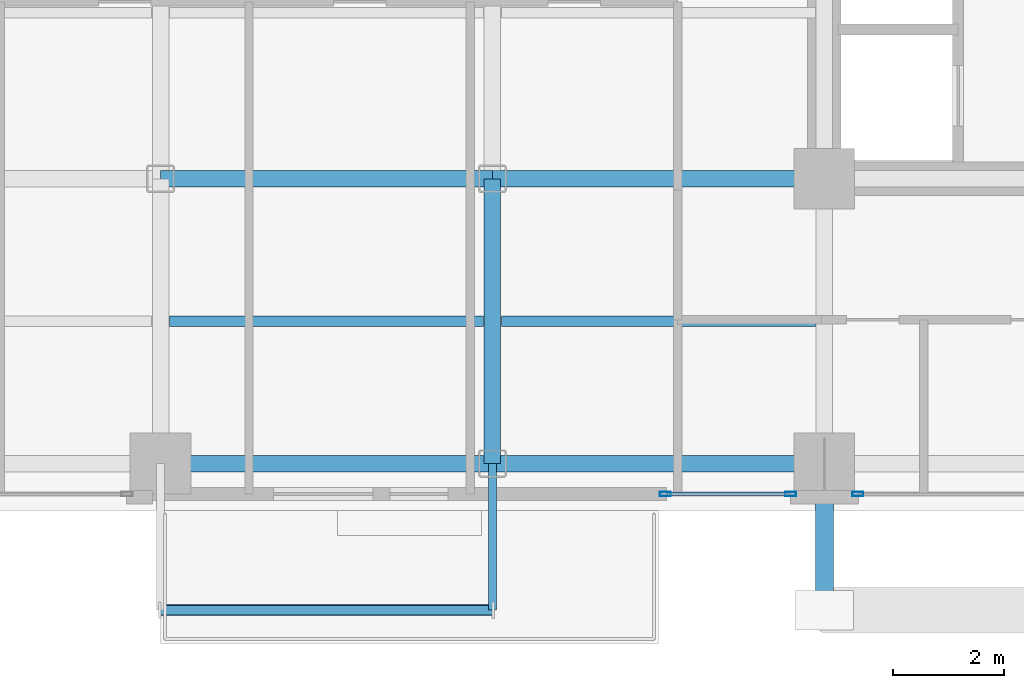
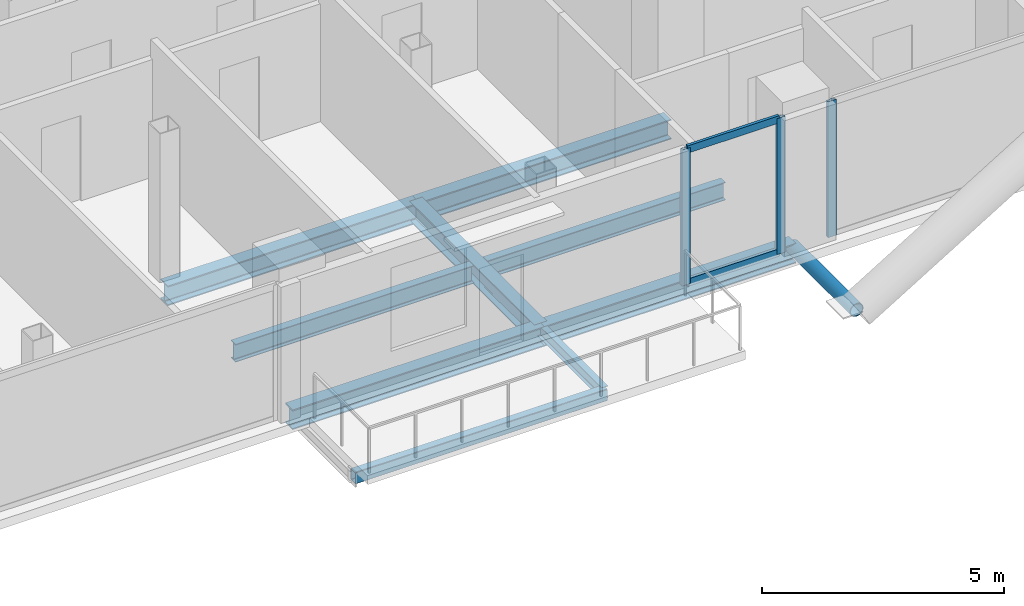
# One storey, part 3 of 24: 9 beams, 6 members, 2 elements without a shape of their own.
"""IFC4 building model written with IfcOpenShell, lengths in metres."""

from ifc_helpers import new_model, si_unit, direction, frame, origin, origin_2d, place, context, subcontext, project, spatial, hollow_rectangle, hollow_circle, i_section, extrude, material, layer, layer_set, material_profile, profile_set, type_object, element, aggregate, save


model = new_model("IFC4")

# Units and contexts
model_context = context("Model", 3, precision=1e-05, world=origin(), true_north=direction((0.0, 1.0)))
body_context = subcontext(model_context, "Body", "Model", "MODEL_VIEW")
ifc_project = project(units=[si_unit("LENGTHUNIT", "METRE"), si_unit("AREAUNIT", "SQUARE_METRE"), si_unit("VOLUMEUNIT", "CUBIC_METRE"), si_unit("PLANEANGLEUNIT", "RADIAN"), si_unit("MASSUNIT", "GRAM", prefix="KILO"), si_unit("THERMODYNAMICTEMPERATUREUNIT", "KELVIN"), si_unit("POWERUNIT", "WATT")], contexts=[model_context])

# Site, building, storey
site_placement = place(None, origin())
site = spatial("IfcSite", under=ifc_project, at=site_placement, CompositionType="ELEMENT")
building_placement = place(site_placement, origin())
building = spatial("IfcBuilding", under=site, at=building_placement, Name="Svarakhadi Broadcast Tower", CompositionType="ELEMENT")
storey_placement = place(building_placement, frame((0.0, 0.0, 160.64990234375)))
storey = spatial("IfcBuildingStorey", under=building, at=storey_placement, Name="L39", CompositionType="ELEMENT", Elevation=160.64990234375)

# Beams
ifc_material_1 = material(Name="Steel S355J2 (IS 2062 E350C)", Category="steel")
ifc_material_profile_1 = material_profile(ifc_material_1, i_section(OverallWidth=0.18994140625, OverallDepth=0.449951171875, WebThickness=0.009521484375, FlangeThickness=0.0146484375, FilletRadius=0.02099609375, at=origin_2d()), Name="NPB 450x190x78")
ifc_profile_set_1 = profile_set([ifc_material_profile_1], Name="Steel S355J2 (IS 2062 E350C)")
beam_type_1 = type_object("IfcBeamType", Name="Beam_NPB450", PredefinedType="BEAM", material=ifc_profile_set_1)
for number, where, z_axis, x_axis, name in (
    (1, (12.159912109375, 3.425048828125, -0.449951171875), (1.0, 0.0, 0.0), (0.0, 1.0, 0.0), "L39 Secondary Composite Beam SB011"),
    (2, (18.159912109375, 3.425048828125, -0.449951171875), (1.0, 0.0, 0.0), (0.0, 1.0, 0.0), "L39 Secondary Composite Beam SB016"),
):
    element("IfcBeam", number, at=place(storey_placement, frame(where, z_axis=z_axis, x_axis=x_axis)), inside=storey, type_object=beam_type_1, Name=name, PredefinedType="BEAM", context=body_context, shape_type="SweptSolid", body=[
        extrude(i_section(OverallWidth=0.18994140625, OverallDepth=0.449951171875, WebThickness=0.009521484375, FlangeThickness=0.0146484375, FilletRadius=0.02099609375, at=origin_2d()), origin(), (0.0, 0.0, 1.0), 5.68017578125),
    ])

# Curtain wall, member
ifc_material_2 = material(Name="Anodised Bronze Aluminium AA 6063-T6", Category="aluminium")
ifc_layer = layer(ifc_material_2, 0.199951171875)
ifc_layer_set = layer_set([ifc_layer], Name="Anodised Bronze Aluminium AA 6063-T6")
curtain_wall_type = type_object("IfcCurtainWallType", Name="CW_Sys_03", PredefinedType="NOTDEFINED", material=ifc_layer_set)
curtain_wall_1_placement = place(storey_placement, origin())
curtain_wall_1 = element("IfcCurtainWall", 3, at=curtain_wall_1_placement, inside=storey, type_object=curtain_wall_type, Name="L39 South Curtain Wall 16 Bay 3", PredefinedType="NOTDEFINED")
ifc_material_profile_2 = material_profile(ifc_material_2, hollow_rectangle(XDim=0.074951171875, YDim=0.199951171875, WallThickness=0.005615234375, at=origin_2d()), Name="ALU MULLION 200x75x6")
ifc_profile_set_2 = profile_set([ifc_material_profile_2], Name="Anodised Bronze Aluminium AA 6063-T6")
member_type_1 = type_object("IfcMemberType", Name="CW_Sys_03_Mul", PredefinedType="MULLION", material=ifc_profile_set_2)
member_1_placement = place(storey_placement, frame((24.607421875, 0.300048828125, 0.0), z_axis=(0.0, 0.0, 1.0), x_axis=(0.0, -1.0, 0.0)))
member_1 = element("IfcMember", 4, at=member_1_placement, type_object=member_type_1, Name="CW-03 mullion 2", PredefinedType="MULLION", context=body_context, shape_type="SweptSolid", body=[
    extrude(hollow_rectangle(XDim=0.074951171875, YDim=0.199951171875, WallThickness=0.005615234375, at=origin_2d()), origin(), (0.0, 0.0, 1.0), 3.425048828125),
])
aggregate(curtain_wall_1, [member_1])

# Curtain wall, members
curtain_wall_2_placement = place(storey_placement, origin())
curtain_wall_2 = element("IfcCurtainWall", 5, at=curtain_wall_2_placement, inside=storey, type_object=curtain_wall_type, Name="L39 South Curtain Wall 16 Bay 4", PredefinedType="NOTDEFINED")
member_2_placement = place(storey_placement, frame((23.392578125, 0.300048828125, 0.0), z_axis=(0.0, 0.0, 1.0), x_axis=(0.0, -1.0, 0.0)))
member_2 = element("IfcMember", 6, at=member_2_placement, type_object=member_type_1, Name="CW-03 mullion 1", PredefinedType="MULLION", context=body_context, shape_type="SweptSolid", body=[
    extrude(hollow_rectangle(XDim=0.074951171875, YDim=0.199951171875, WallThickness=0.005615234375, at=origin_2d()), origin(), (0.0, 0.0, 1.0), 3.425048828125),
])
member_3_placement = place(storey_placement, frame((21.12744140625, 0.300048828125, 0.0), z_axis=(0.0, 0.0, 1.0), x_axis=(0.0, -1.0, 0.0)))
member_3 = element("IfcMember", 7, at=member_3_placement, type_object=member_type_1, Name="CW-03 mullion 2", PredefinedType="MULLION", context=body_context, shape_type="SweptSolid", body=[
    extrude(hollow_rectangle(XDim=0.074951171875, YDim=0.199951171875, WallThickness=0.005615234375, at=origin_2d()), origin(), (0.0, 0.0, 1.0), 3.425048828125),
])
ifc_material_profile_3 = material_profile(ifc_material_2, hollow_rectangle(XDim=0.070068359375, YDim=0.18505859375, WallThickness=0.0048828125, at=origin_2d()), Name="ALU TRANSOM 185x70x5")
ifc_profile_set_3 = profile_set([ifc_material_profile_3], Name="Anodised Bronze Aluminium AA 6063-T6")
member_type_2 = type_object("IfcMemberType", Name="CW_Sys_03_Trn", PredefinedType="USERDEFINED", material=ifc_profile_set_3)
member_4_placement = place(storey_placement, frame((23.35498046875, 0.300048828125, 0.03515625), z_axis=(-1.0, 0.0, 0.0), x_axis=(0.0, -1.0, 0.0)))
member_4 = element("IfcMember", 8, at=member_4_placement, type_object=member_type_2, Name="CW-03 transom 1.1", ObjectType="TRANSOM", PredefinedType="USERDEFINED", context=body_context, shape_type="SweptSolid", body=[
    extrude(hollow_rectangle(XDim=0.070068359375, YDim=0.18505859375, WallThickness=0.0048828125, at=origin_2d()), origin(), (0.0, 0.0, 1.0), 2.18994140625),
])
member_5_placement = place(storey_placement, frame((23.35498046875, 0.300048828125, 3.39013671875), z_axis=(-1.0, 0.0, 0.0), x_axis=(0.0, -1.0, 0.0)))
member_5 = element("IfcMember", 9, at=member_5_placement, type_object=member_type_2, Name="CW-03 transom 1.2", ObjectType="TRANSOM", PredefinedType="USERDEFINED", context=body_context, shape_type="SweptSolid", body=[
    extrude(hollow_rectangle(XDim=0.070068359375, YDim=0.18505859375, WallThickness=0.0048828125, at=origin_2d()), origin(), (0.0, 0.0, 1.0), 2.18994140625),
])
aggregate(curtain_wall_2, [member_2, member_3, member_4, member_5])

# Member
ifc_material_3 = material(Name="Steel S460ML (IS 2062 E450BR)", Category="steel")
ifc_material_profile_4 = material_profile(ifc_material_3, hollow_circle(Radius=0.161865234375, WallThickness=0.01611328125, at=origin_2d()), Name="CHS 323.9x16")
ifc_profile_set_4 = profile_set([ifc_material_profile_4], Name="Steel S460ML (IS 2062 E450BR)")
member_type_3 = type_object("IfcMemberType", Name="Exo_Radial_Strut_Z2", PredefinedType="STRUT", material=ifc_profile_set_4)
member_6_placement = place(storey_placement, frame((24.0, -1.800048828125, -0.386962890625), z_axis=(0.0, 1.0, 0.0), x_axis=(-1.0, 0.0, 0.0)))
element("IfcMember", 10, at=member_6_placement, inside=storey, type_object=member_type_3, Name="L39 Exoskeleton Radial Tie Strut S01", PredefinedType="STRUT", context=body_context, shape_type="SweptSolid", body=[
    extrude(hollow_circle(Radius=0.161865234375, WallThickness=0.01611328125, at=origin_2d()), origin(), (0.0, 0.0, 1.0), 2.650146484375),
])

# Beams
ifc_material_profile_5 = material_profile(ifc_material_1, i_section(OverallWidth=0.300048828125, OverallDepth=0.5, WebThickness=0.014404296875, FlangeThickness=0.028076171875, FilletRadius=0.027099609375, at=origin_2d()), Name="WPB 500x300x187")
ifc_profile_set_5 = profile_set([ifc_material_profile_5], Name="Steel S355J2 (IS 2062 E350C)")
beam_type_2 = type_object("IfcBeamType", Name="Girder_WPB500", PredefinedType="USERDEFINED", material=ifc_profile_set_5)
for number, where, z_axis, x_axis, name in (
    (11, (12.0, 0.85009765625, -0.474853515625), (1.0, 0.0, 0.0), (0.0, 1.0, 0.0), "L39 Primary E-W Girder G005"),
    (12, (18.0, 0.85009765625, -0.474853515625), (1.0, 0.0, 0.0), (0.0, 1.0, 0.0), "L39 Primary E-W Girder G006"),
    (13, (12.0, 6.0, -0.474853515625), (1.0, 0.0, 0.0), (0.0, 1.0, 0.0), "L39 Primary E-W Girder G012"),
    (14, (18.0, 6.0, -0.474853515625), (1.0, 0.0, 0.0), (0.0, 1.0, 0.0), "L39 Primary E-W Girder G013"),
):
    element("IfcBeam", number, at=place(storey_placement, frame(where, z_axis=z_axis, x_axis=x_axis)), inside=storey, type_object=beam_type_2, Name=name, ObjectType="GIRDER", PredefinedType="USERDEFINED", context=body_context, shape_type="SweptSolid", body=[
        extrude(i_section(OverallWidth=0.300048828125, OverallDepth=0.5, WebThickness=0.014404296875, FlangeThickness=0.028076171875, FilletRadius=0.027099609375, at=origin_2d()), origin(), (0.0, 0.0, 1.0), 6.0),
    ])
beam_1_placement = place(storey_placement, frame((18.0, 0.85009765625, -0.474853515625), z_axis=(0.0, 1.0, 0.0), x_axis=(-1.0, 0.0, 0.0)))
element("IfcBeam", 15, at=beam_1_placement, inside=storey, type_object=beam_type_2, Name="L39 Primary N-S Girder G056", ObjectType="GIRDER", PredefinedType="USERDEFINED", context=body_context, shape_type="SweptSolid", body=[
    extrude(i_section(OverallWidth=0.300048828125, OverallDepth=0.5, WebThickness=0.014404296875, FlangeThickness=0.028076171875, FilletRadius=0.027099609375, at=origin_2d()), origin(), (0.0, 0.0, 1.0), 5.14990234375),
])
ifc_material_profile_6 = material_profile(ifc_material_1, i_section(OverallWidth=0.14990234375, OverallDepth=0.300048828125, WebThickness=0.007080078125, FlangeThickness=0.0107421875, FilletRadius=0.014892578125, at=origin_2d()), Name="NPB 300x150x37")
ifc_profile_set_6 = profile_set([ifc_material_profile_6], Name="Steel S355J2 (IS 2062 E350C)")
beam_type_3 = type_object("IfcBeamType", Name="Spandrel_NPB300", PredefinedType="SPANDREL", material=ifc_profile_set_6)
beam_2_placement = place(storey_placement, frame((18.0, 0.85009765625, -0.375), z_axis=(0.0, -1.0, 0.0), x_axis=(1.0, 0.0, 0.0)))
element("IfcBeam", 16, at=beam_2_placement, inside=storey, type_object=beam_type_3, Name="L39 Balcony Cantilever Bracket 1B", PredefinedType="SPANDREL", context=body_context, shape_type="SweptSolid", body=[
    extrude(i_section(OverallWidth=0.14990234375, OverallDepth=0.300048828125, WebThickness=0.007080078125, FlangeThickness=0.0107421875, FilletRadius=0.014892578125, at=origin_2d()), origin(), (0.0, 0.0, 1.0), 2.650146484375),
])
ifc_material_profile_7 = material_profile(ifc_material_3, hollow_rectangle(XDim=0.199951171875, YDim=0.300048828125, WallThickness=0.012451171875, InnerFilletRadius=0.012451171875, OuterFilletRadius=0.02490234375, at=origin_2d()), Name="RHS 300x200x12.5")
ifc_profile_set_7 = profile_set([ifc_material_profile_7], Name="Steel S460ML (IS 2062 E450BR)")
beam_type_4 = type_object("IfcBeamType", Name="Spandrel_RHS300", PredefinedType="SPANDREL", material=ifc_profile_set_7)
beam_3_placement = place(storey_placement, frame((12.0, -1.800048828125, -0.375), z_axis=(1.0, 0.0, 0.0), x_axis=(0.0, 1.0, 0.0)))
element("IfcBeam", 17, at=beam_3_placement, inside=storey, type_object=beam_type_4, Name="L39 Balcony Outer Spandrel 1F", PredefinedType="SPANDREL", context=body_context, shape_type="SweptSolid", body=[
    extrude(hollow_rectangle(XDim=0.199951171875, YDim=0.300048828125, WallThickness=0.012451171875, InnerFilletRadius=0.012451171875, OuterFilletRadius=0.02490234375, at=origin_2d()), origin(), (0.0, 0.0, 1.0), 6.0),
])

save(model, "model.ifc")
